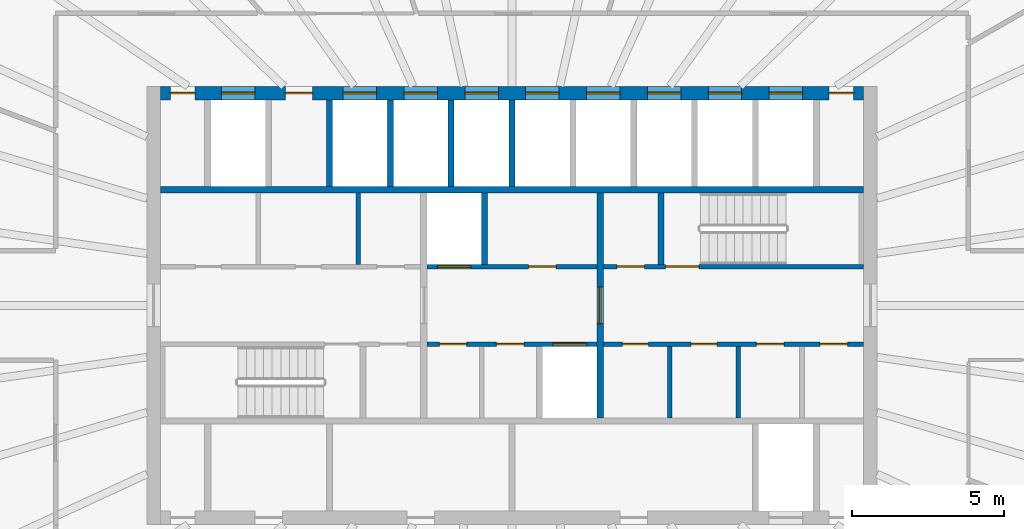
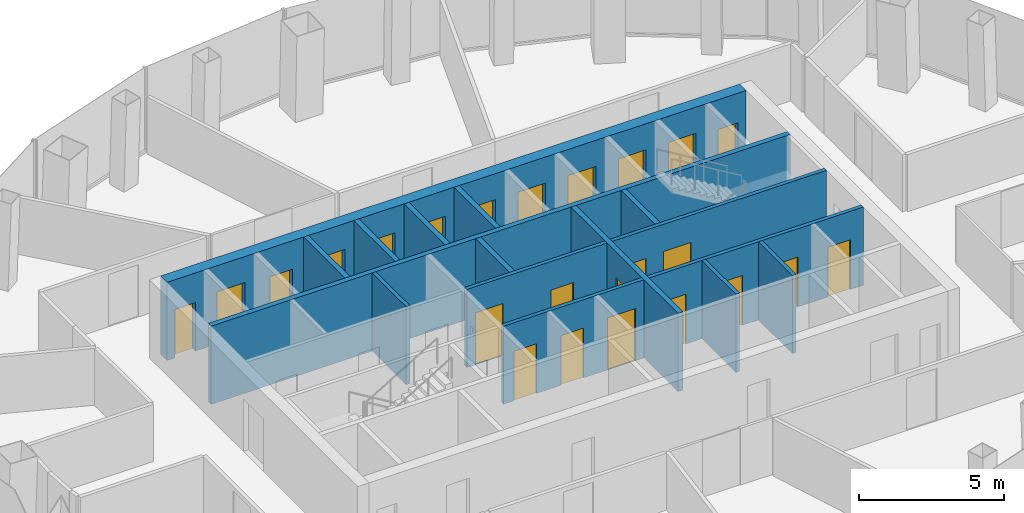
# One storey, part 9 of 11: 24 doors, 16 walls, 24 openings.
"""IFC4 building model written with IfcOpenShell, lengths in metres."""

from ifc_helpers import new_model, si_unit, direction, frame, frame_2d, origin, place, context, subcontext, project, spatial, rectangle, extrude, material, layer, layer_set, type_object, element, fill, save


model = new_model("IFC4")

# Units and contexts
model_context = context("Model", 3, precision=1e-05, world=origin(), true_north=direction((0.0, 1.0)))
body_context = subcontext(model_context, "Body", "Model", "MODEL_VIEW")
ifc_project = project(units=[si_unit("LENGTHUNIT", "METRE"), si_unit("AREAUNIT", "SQUARE_METRE"), si_unit("VOLUMEUNIT", "CUBIC_METRE"), si_unit("PLANEANGLEUNIT", "RADIAN"), si_unit("MASSUNIT", "GRAM", prefix="KILO")], contexts=[model_context])

# Site, building, storey
site_placement = place(None, origin())
site = spatial("IfcSite", under=ifc_project, at=site_placement, CompositionType="ELEMENT")
building_placement = place(site_placement, origin())
building = spatial("IfcBuilding", under=site, at=building_placement, Name="Siaravel Broadcast Tower", CompositionType="ELEMENT")
storey_placement = place(building_placement, frame((0.0, 0.0, 197.800048828125)))
storey = spatial("IfcBuildingStorey", under=building, at=storey_placement, Name="L48", CompositionType="ELEMENT", Elevation=197.800048828125)

# Walls
ifc_material_1 = material(Name="Concrete blockwork", Category="masonry")
ifc_layer_1 = layer(ifc_material_1, 0.14990234375)
ifc_layer_set_1 = layer_set([ifc_layer_1], Name="Concrete blockwork")
wall_type_1 = type_object("IfcWallType", Name="Core partition 150", PredefinedType="PARTITIONING", material=ifc_layer_set_1)
for number, where, z_axis, x_axis, name in (
    (1, (-5.054931640625, 1.35009765625, 0.0), (0.0, 0.0, 1.0), (0.0, 1.0, 0.0), "L48 core partition PNW1"),
    (2, (5.180908203125, -3.699951171875, 0.0), (0.0, 0.0, 1.0), (0.0, 1.0, 0.0), "L48 core partition PSE0"),
    (3, (7.43701171875, -3.699951171875, 0.0), (0.0, 0.0, 1.0), (0.0, 1.0, 0.0), "L48 core partition PSE1"),
):
    element("IfcWall", number, at=place(storey_placement, frame(where, z_axis=z_axis, x_axis=x_axis)), inside=storey, type_object=wall_type_1, Name=name, PredefinedType="PARTITIONING", context=body_context, shape_type="SweptSolid", body=[
        extrude(rectangle(XDim=2.349853515625, YDim=0.14990234375, at=frame_2d((1.1748046875, 0.0))), origin(), (0.0, 0.0, 1.0), 3.300048828125),
    ])

# Wall, openings, doors
ifc_material_2 = material(Name="Concrete C60/75", Category="concrete")
ifc_layer_2 = layer(ifc_material_2, 0.449951171875)
ifc_layer_set_2 = layer_set([ifc_layer_2], Name="Concrete C60/75")
wall_type_2 = type_object("IfcWallType", Name="Core wall 450", PredefinedType="SHEAR", material=ifc_layer_set_2)
wall_1_placement = place(storey_placement, frame((-11.550048828125, 6.97509765625, 0.0), z_axis=(0.0, 0.0, 1.0), x_axis=(1.0, 0.0, 0.0)))
wall_1 = element("IfcWall", 4, at=wall_1_placement, inside=storey, type_object=wall_type_2, Name="L48 core wall ON", PredefinedType="SHEAR", context=body_context, shape_type="SweptSolid", body=[
    extrude(rectangle(XDim=23.10009765625, YDim=0.449951171875, at=frame_2d((11.550048828125, 0.0))), origin(), (0.0, 0.0, 1.0), 3.300048828125),
])
opening_1_placement = place(wall_1_placement, frame((2.0, 0.0, 0.0)))
opening_1 = element("IfcOpeningElement", 5, at=opening_1_placement, cuts=wall_1, Name="Opening LD-SV2-L48", PredefinedType="OPENING", context=body_context, shape_type="SweptSolid", body=[
    extrude(rectangle(XDim=1.10009765625, YDim=2.199951171875, at=frame_2d((0.550048828125, 1.10009765625))), frame((0.0, 0.23486328125, 0.0), z_axis=(0.0, -1.0, 0.0), x_axis=(1.0, 0.0, 0.0)), (0.0, 0.0, 1.0), 0.469970703125),
])
opening_2_placement = place(wall_1_placement, frame((6.0, 0.0, 0.0)))
opening_2 = element("IfcOpeningElement", 6, at=opening_2_placement, cuts=wall_1, Name="Opening LD-HP1-L48", PredefinedType="OPENING", context=body_context, shape_type="SweptSolid", body=[
    extrude(rectangle(XDim=1.10009765625, YDim=2.199951171875, at=frame_2d((0.550048828125, 1.10009765625))), frame((0.0, 0.23486328125, 0.0), z_axis=(0.0, -1.0, 0.0), x_axis=(1.0, 0.0, 0.0)), (0.0, 0.0, 1.0), 0.469970703125),
])
opening_3_placement = place(wall_1_placement, frame((8.0, 0.0, 0.0)))
opening_3 = element("IfcOpeningElement", 7, at=opening_3_placement, cuts=wall_1, Name="Opening LD-HP2-L48", PredefinedType="OPENING", context=body_context, shape_type="SweptSolid", body=[
    extrude(rectangle(XDim=1.10009765625, YDim=2.199951171875, at=frame_2d((0.550048828125, 1.10009765625))), frame((0.0, 0.23486328125, 0.0), z_axis=(0.0, -1.0, 0.0), x_axis=(1.0, 0.0, 0.0)), (0.0, 0.0, 1.0), 0.469970703125),
])
opening_4_placement = place(wall_1_placement, frame((10.0, 0.0, 0.0)))
opening_4 = element("IfcOpeningElement", 8, at=opening_4_placement, cuts=wall_1, Name="Opening LD-HP3-L48", PredefinedType="OPENING", context=body_context, shape_type="SweptSolid", body=[
    extrude(rectangle(XDim=1.10009765625, YDim=2.199951171875, at=frame_2d((0.550048828125, 1.10009765625))), frame((0.0, 0.23486328125, 0.0), z_axis=(0.0, -1.0, 0.0), x_axis=(1.0, 0.0, 0.0)), (0.0, 0.0, 1.0), 0.469970703125),
])
opening_5_placement = place(wall_1_placement, frame((12.0, 0.0, 0.0)))
opening_5 = element("IfcOpeningElement", 9, at=opening_5_placement, cuts=wall_1, Name="Opening LD-HP4-L48", PredefinedType="OPENING", context=body_context, shape_type="SweptSolid", body=[
    extrude(rectangle(XDim=1.10009765625, YDim=2.199951171875, at=frame_2d((0.550048828125, 1.10009765625))), frame((0.0, 0.23486328125, 0.0), z_axis=(0.0, -1.0, 0.0), x_axis=(1.0, 0.0, 0.0)), (0.0, 0.0, 1.0), 0.469970703125),
])
opening_6_placement = place(wall_1_placement, frame((14.0, 0.0, 0.0)))
opening_6 = element("IfcOpeningElement", 10, at=opening_6_placement, cuts=wall_1, Name="Opening LD-HP5-L48", PredefinedType="OPENING", context=body_context, shape_type="SweptSolid", body=[
    extrude(rectangle(XDim=1.10009765625, YDim=2.199951171875, at=frame_2d((0.550048828125, 1.10009765625))), frame((0.0, 0.23486328125, 0.0), z_axis=(0.0, -1.0, 0.0), x_axis=(1.0, 0.0, 0.0)), (0.0, 0.0, 1.0), 0.469970703125),
])
opening_7_placement = place(wall_1_placement, frame((16.0, 0.0, 0.0)))
opening_7 = element("IfcOpeningElement", 11, at=opening_7_placement, cuts=wall_1, Name="Opening LD-HP6-L48", PredefinedType="OPENING", context=body_context, shape_type="SweptSolid", body=[
    extrude(rectangle(XDim=1.10009765625, YDim=2.199951171875, at=frame_2d((0.550048828125, 1.10009765625))), frame((0.0, 0.23486328125, 0.0), z_axis=(0.0, -1.0, 0.0), x_axis=(1.0, 0.0, 0.0)), (0.0, 0.0, 1.0), 0.469970703125),
])
opening_8_placement = place(wall_1_placement, frame((18.0, 0.0, 0.0)))
opening_8 = element("IfcOpeningElement", 12, at=opening_8_placement, cuts=wall_1, Name="Opening LD-HP7-L48", PredefinedType="OPENING", context=body_context, shape_type="SweptSolid", body=[
    extrude(rectangle(XDim=1.10009765625, YDim=2.199951171875, at=frame_2d((0.550048828125, 1.10009765625))), frame((0.0, 0.23486328125, 0.0), z_axis=(0.0, -1.0, 0.0), x_axis=(1.0, 0.0, 0.0)), (0.0, 0.0, 1.0), 0.469970703125),
])
opening_9_placement = place(wall_1_placement, frame((20.0, 0.0, 0.0)))
opening_9 = element("IfcOpeningElement", 13, at=opening_9_placement, cuts=wall_1, Name="Opening LD-HP8-L48", PredefinedType="OPENING", context=body_context, shape_type="SweptSolid", body=[
    extrude(rectangle(XDim=1.10009765625, YDim=2.199951171875, at=frame_2d((0.550048828125, 1.10009765625))), frame((0.0, 0.23486328125, 0.0), z_axis=(0.0, -1.0, 0.0), x_axis=(1.0, 0.0, 0.0)), (0.0, 0.0, 1.0), 0.469970703125),
])
opening_10_placement = place(wall_1_placement, frame((4.10009765625, 0.0, 0.0)))
opening_10 = element("IfcOpeningElement", 14, at=opening_10_placement, cuts=wall_1, Name="Opening L48-DFN1", PredefinedType="OPENING", context=body_context, shape_type="SweptSolid", body=[
    extrude(rectangle(XDim=0.89990234375, YDim=2.10009765625, at=frame_2d((0.449951171875, 1.050048828125))), frame((0.0, 0.23486328125, 0.0), z_axis=(0.0, -1.0, 0.0), x_axis=(1.0, 0.0, 0.0)), (0.0, 0.0, 1.0), 0.469970703125),
])
opening_11_placement = place(wall_1_placement, frame((0.324951171875, 0.0, 0.0)))
opening_11 = element("IfcOpeningElement", 15, at=opening_11_placement, cuts=wall_1, Name="Opening L48-DRNW", PredefinedType="OPENING", context=body_context, shape_type="SweptSolid", body=[
    extrude(rectangle(XDim=0.800048828125, YDim=2.050048828125, at=frame_2d((0.39990234375, 1.02490234375))), frame((0.0, 0.23486328125, 0.0), z_axis=(0.0, -1.0, 0.0), x_axis=(1.0, 0.0, 0.0)), (0.0, 0.0, 1.0), 0.469970703125),
])
opening_12_placement = place(wall_1_placement, frame((21.97509765625, 0.0, 0.0)))
opening_12 = element("IfcOpeningElement", 16, at=opening_12_placement, cuts=wall_1, Name="Opening L48-DRNE", PredefinedType="OPENING", context=body_context, shape_type="SweptSolid", body=[
    extrude(rectangle(XDim=0.800048828125, YDim=2.050048828125, at=frame_2d((0.39990234375, 1.02490234375))), frame((0.0, 0.23486328125, 0.0), z_axis=(0.0, -1.0, 0.0), x_axis=(1.0, 0.0, 0.0)), (0.0, 0.0, 1.0), 0.469970703125),
])
ifc_material_3 = material(Name="Timber veneer", Category="wood")
door_type_1 = type_object("IfcDoorType", Name="Core room door 900", OperationType="SINGLE_SWING_LEFT", PredefinedType="DOOR", material=ifc_material_3)
door_1_placement = place(opening_10_placement, origin())
door_1 = element("IfcDoor", 17, at=door_1_placement, inside=storey, type_object=door_type_1, Name="L48 door DFN1", OperationType="SINGLE_SWING_LEFT", OverallHeight=2.10009765625, OverallWidth=0.89990234375, PredefinedType="DOOR", context=body_context, shape_type="SweptSolid", body=[
    extrude(rectangle(XDim=0.89990234375, YDim=2.10009765625, at=frame_2d((0.449951171875, 1.050048828125))), frame((0.0, 0.02490234375, 0.0), z_axis=(0.0, -1.0, 0.0), x_axis=(1.0, 0.0, 0.0)), (0.0, 0.0, 1.0), 0.050048828125),
])
fill(opening_10, door_1)
ifc_material_4 = material(Name="Stainless steel 316L", Category="steel")
door_type_2 = type_object("IfcDoorType", Name="Lift landing door 1100", OperationType="DOUBLE_DOOR_SLIDING", PredefinedType="DOOR", material=ifc_material_4)
door_2_placement = place(opening_2_placement, origin())
door_2 = element("IfcDoor", 18, at=door_2_placement, inside=storey, type_object=door_type_2, Name="Landing door HP1 L48", OperationType="DOUBLE_DOOR_SLIDING", OverallHeight=2.199951171875, OverallWidth=1.10009765625, PredefinedType="DOOR", context=body_context, shape_type="SweptSolid", body=[
    extrude(rectangle(XDim=1.10009765625, YDim=2.199951171875, at=frame_2d((0.550048828125, 1.10009765625))), frame((0.0, 0.02490234375, 0.0), z_axis=(0.0, -1.0, 0.0), x_axis=(1.0, 0.0, 0.0)), (0.0, 0.0, 1.0), 0.050048828125),
])
fill(opening_2, door_2)
door_3_placement = place(opening_3_placement, origin())
door_3 = element("IfcDoor", 19, at=door_3_placement, inside=storey, type_object=door_type_2, Name="Landing door HP2 L48", OperationType="DOUBLE_DOOR_SLIDING", OverallHeight=2.199951171875, OverallWidth=1.10009765625, PredefinedType="DOOR", context=body_context, shape_type="SweptSolid", body=[
    extrude(rectangle(XDim=1.10009765625, YDim=2.199951171875, at=frame_2d((0.550048828125, 1.10009765625))), frame((0.0, 0.02490234375, 0.0), z_axis=(0.0, -1.0, 0.0), x_axis=(1.0, 0.0, 0.0)), (0.0, 0.0, 1.0), 0.050048828125),
])
fill(opening_3, door_3)
door_4_placement = place(opening_4_placement, origin())
door_4 = element("IfcDoor", 20, at=door_4_placement, inside=storey, type_object=door_type_2, Name="Landing door HP3 L48", OperationType="DOUBLE_DOOR_SLIDING", OverallHeight=2.199951171875, OverallWidth=1.10009765625, PredefinedType="DOOR", context=body_context, shape_type="SweptSolid", body=[
    extrude(rectangle(XDim=1.10009765625, YDim=2.199951171875, at=frame_2d((0.550048828125, 1.10009765625))), frame((0.0, 0.02490234375, 0.0), z_axis=(0.0, -1.0, 0.0), x_axis=(1.0, 0.0, 0.0)), (0.0, 0.0, 1.0), 0.050048828125),
])
fill(opening_4, door_4)
door_5_placement = place(opening_5_placement, origin())
door_5 = element("IfcDoor", 21, at=door_5_placement, inside=storey, type_object=door_type_2, Name="Landing door HP4 L48", OperationType="DOUBLE_DOOR_SLIDING", OverallHeight=2.199951171875, OverallWidth=1.10009765625, PredefinedType="DOOR", context=body_context, shape_type="SweptSolid", body=[
    extrude(rectangle(XDim=1.10009765625, YDim=2.199951171875, at=frame_2d((0.550048828125, 1.10009765625))), frame((0.0, 0.02490234375, 0.0), z_axis=(0.0, -1.0, 0.0), x_axis=(1.0, 0.0, 0.0)), (0.0, 0.0, 1.0), 0.050048828125),
])
fill(opening_5, door_5)
door_6_placement = place(opening_6_placement, origin())
door_6 = element("IfcDoor", 22, at=door_6_placement, inside=storey, type_object=door_type_2, Name="Landing door HP5 L48", OperationType="DOUBLE_DOOR_SLIDING", OverallHeight=2.199951171875, OverallWidth=1.10009765625, PredefinedType="DOOR", context=body_context, shape_type="SweptSolid", body=[
    extrude(rectangle(XDim=1.10009765625, YDim=2.199951171875, at=frame_2d((0.550048828125, 1.10009765625))), frame((0.0, 0.02490234375, 0.0), z_axis=(0.0, -1.0, 0.0), x_axis=(1.0, 0.0, 0.0)), (0.0, 0.0, 1.0), 0.050048828125),
])
fill(opening_6, door_6)
door_7_placement = place(opening_7_placement, origin())
door_7 = element("IfcDoor", 23, at=door_7_placement, inside=storey, type_object=door_type_2, Name="Landing door HP6 L48", OperationType="DOUBLE_DOOR_SLIDING", OverallHeight=2.199951171875, OverallWidth=1.10009765625, PredefinedType="DOOR", context=body_context, shape_type="SweptSolid", body=[
    extrude(rectangle(XDim=1.10009765625, YDim=2.199951171875, at=frame_2d((0.550048828125, 1.10009765625))), frame((0.0, 0.02490234375, 0.0), z_axis=(0.0, -1.0, 0.0), x_axis=(1.0, 0.0, 0.0)), (0.0, 0.0, 1.0), 0.050048828125),
])
fill(opening_7, door_7)
door_8_placement = place(opening_8_placement, origin())
door_8 = element("IfcDoor", 24, at=door_8_placement, inside=storey, type_object=door_type_2, Name="Landing door HP7 L48", OperationType="DOUBLE_DOOR_SLIDING", OverallHeight=2.199951171875, OverallWidth=1.10009765625, PredefinedType="DOOR", context=body_context, shape_type="SweptSolid", body=[
    extrude(rectangle(XDim=1.10009765625, YDim=2.199951171875, at=frame_2d((0.550048828125, 1.10009765625))), frame((0.0, 0.02490234375, 0.0), z_axis=(0.0, -1.0, 0.0), x_axis=(1.0, 0.0, 0.0)), (0.0, 0.0, 1.0), 0.050048828125),
])
fill(opening_8, door_8)
door_9_placement = place(opening_9_placement, origin())
door_9 = element("IfcDoor", 25, at=door_9_placement, inside=storey, type_object=door_type_2, Name="Landing door HP8 L48", OperationType="DOUBLE_DOOR_SLIDING", OverallHeight=2.199951171875, OverallWidth=1.10009765625, PredefinedType="DOOR", context=body_context, shape_type="SweptSolid", body=[
    extrude(rectangle(XDim=1.10009765625, YDim=2.199951171875, at=frame_2d((0.550048828125, 1.10009765625))), frame((0.0, 0.02490234375, 0.0), z_axis=(0.0, -1.0, 0.0), x_axis=(1.0, 0.0, 0.0)), (0.0, 0.0, 1.0), 0.050048828125),
])
fill(opening_9, door_9)
ifc_material_5 = material(Name="Steel", Category="steel")
door_type_3 = type_object("IfcDoorType", Name="Riser door 800", OperationType="SINGLE_SWING_LEFT", PredefinedType="DOOR", material=ifc_material_5)
door_10_placement = place(opening_11_placement, origin())
door_10 = element("IfcDoor", 26, at=door_10_placement, inside=storey, type_object=door_type_3, Name="L48 door DRNW", OperationType="SINGLE_SWING_LEFT", OverallHeight=2.050048828125, OverallWidth=0.800048828125, PredefinedType="DOOR", context=body_context, shape_type="SweptSolid", body=[
    extrude(rectangle(XDim=0.800048828125, YDim=2.050048828125, at=frame_2d((0.39990234375, 1.02490234375))), frame((0.0, 0.02490234375, 0.0), z_axis=(0.0, -1.0, 0.0), x_axis=(1.0, 0.0, 0.0)), (0.0, 0.0, 1.0), 0.050048828125),
])
fill(opening_11, door_10)
door_11_placement = place(opening_12_placement, origin())
door_11 = element("IfcDoor", 27, at=door_11_placement, inside=storey, type_object=door_type_3, Name="L48 door DRNE", OperationType="SINGLE_SWING_LEFT", OverallHeight=2.050048828125, OverallWidth=0.800048828125, PredefinedType="DOOR", context=body_context, shape_type="SweptSolid", body=[
    extrude(rectangle(XDim=0.800048828125, YDim=2.050048828125, at=frame_2d((0.39990234375, 1.02490234375))), frame((0.0, 0.02490234375, 0.0), z_axis=(0.0, -1.0, 0.0), x_axis=(1.0, 0.0, 0.0)), (0.0, 0.0, 1.0), 0.050048828125),
])
fill(opening_12, door_11)
door_type_4 = type_object("IfcDoorType", Name="Service lift landing door 1100", OperationType="DOUBLE_DOOR_SLIDING", PredefinedType="DOOR", material=ifc_material_4)
door_12_placement = place(opening_1_placement, origin())
door_12 = element("IfcDoor", 28, at=door_12_placement, inside=storey, type_object=door_type_4, Name="Landing door SV2 L48", OperationType="DOUBLE_DOOR_SLIDING", OverallHeight=2.199951171875, OverallWidth=1.10009765625, PredefinedType="DOOR", context=body_context, shape_type="SweptSolid", body=[
    extrude(rectangle(XDim=1.10009765625, YDim=2.199951171875, at=frame_2d((0.550048828125, 1.10009765625))), frame((0.0, 0.02490234375, 0.0), z_axis=(0.0, -1.0, 0.0), x_axis=(1.0, 0.0, 0.0)), (0.0, 0.0, 1.0), 0.050048828125),
])
fill(opening_1, door_12)

ifc_material_6 = material(Name="Gypsum board partition", Category="gypsum")
ifc_layer_3 = layer(ifc_material_6, 0.14990234375)
ifc_layer_set_3 = layer_set([ifc_layer_3], Name="Gypsum board partition")
wall_type_3 = type_object("IfcWallType", Name="Corridor wall 150", PredefinedType="PARTITIONING", material=ifc_layer_set_3)
wall_2_placement = place(storey_placement, frame((3.0, -1.27490234375, 0.0), z_axis=(0.0, 0.0, 1.0), x_axis=(1.0, 0.0, 0.0)))
wall_2 = element("IfcWall", 29, at=wall_2_placement, inside=storey, type_object=wall_type_3, Name="L48 core partition CSE", PredefinedType="PARTITIONING", context=body_context, shape_type="SweptSolid", body=[
    extrude(rectangle(XDim=8.550048828125, YDim=0.14990234375, at=frame_2d((4.27490234375, 0.0))), origin(), (0.0, 0.0, 1.0), 3.300048828125),
])
opening_13_placement = place(wall_2_placement, frame((0.6279296875, 0.0, 0.0)))
opening_13 = element("IfcOpeningElement", 30, at=opening_13_placement, cuts=wall_2, Name="Opening L48-DSE0", PredefinedType="OPENING", context=body_context, shape_type="SweptSolid", body=[
    extrude(rectangle(XDim=0.85009765625, YDim=2.10009765625, at=frame_2d((0.425048828125, 1.050048828125))), frame((0.0, 0.0849609375, 0.0), z_axis=(0.0, -1.0, 0.0), x_axis=(1.0, 0.0, 0.0)), (0.0, 0.0, 1.0), 0.169921875),
])
opening_14_placement = place(wall_2_placement, frame((2.884033203125, 0.0, 0.0)))
opening_14 = element("IfcOpeningElement", 31, at=opening_14_placement, cuts=wall_2, Name="Opening L48-DSE1", PredefinedType="OPENING", context=body_context, shape_type="SweptSolid", body=[
    extrude(rectangle(XDim=0.85009765625, YDim=2.10009765625, at=frame_2d((0.425048828125, 1.050048828125))), frame((0.0, 0.0849609375, 0.0), z_axis=(0.0, -1.0, 0.0), x_axis=(1.0, 0.0, 0.0)), (0.0, 0.0, 1.0), 0.169921875),
])
opening_15_placement = place(wall_2_placement, frame((5.033935546875, 0.0, 0.0)))
opening_15 = element("IfcOpeningElement", 32, at=opening_15_placement, cuts=wall_2, Name="Opening L48-DSE2", PredefinedType="OPENING", context=body_context, shape_type="SweptSolid", body=[
    extrude(rectangle(XDim=0.89990234375, YDim=2.10009765625, at=frame_2d((0.449951171875, 1.050048828125))), frame((0.0, 0.0849609375, 0.0), z_axis=(0.0, -1.0, 0.0), x_axis=(1.0, 0.0, 0.0)), (0.0, 0.0, 1.0), 0.169921875),
])
opening_16_placement = place(wall_2_placement, frame((7.1279296875, 0.0, 0.0)))
opening_16 = element("IfcOpeningElement", 33, at=opening_16_placement, cuts=wall_2, Name="Opening L48-DSE3", PredefinedType="OPENING", context=body_context, shape_type="SweptSolid", body=[
    extrude(rectangle(XDim=0.89990234375, YDim=2.10009765625, at=frame_2d((0.449951171875, 1.050048828125))), frame((0.0, 0.0849609375, 0.0), z_axis=(0.0, -1.0, 0.0), x_axis=(1.0, 0.0, 0.0)), (0.0, 0.0, 1.0), 0.169921875),
])
door_13_placement = place(opening_15_placement, origin())
door_13 = element("IfcDoor", 34, at=door_13_placement, inside=storey, type_object=door_type_1, Name="L48 door DSE2", OperationType="SINGLE_SWING_LEFT", OverallHeight=2.10009765625, OverallWidth=0.89990234375, PredefinedType="DOOR", context=body_context, shape_type="SweptSolid", body=[
    extrude(rectangle(XDim=0.89990234375, YDim=2.10009765625, at=frame_2d((0.449951171875, 1.050048828125))), frame((0.0, 0.02490234375, 0.0), z_axis=(0.0, -1.0, 0.0), x_axis=(1.0, 0.0, 0.0)), (0.0, 0.0, 1.0), 0.050048828125),
])
fill(opening_15, door_13)
door_14_placement = place(opening_16_placement, origin())
door_14 = element("IfcDoor", 35, at=door_14_placement, inside=storey, type_object=door_type_1, Name="L48 door DSE3", OperationType="SINGLE_SWING_LEFT", OverallHeight=2.10009765625, OverallWidth=0.89990234375, PredefinedType="DOOR", context=body_context, shape_type="SweptSolid", body=[
    extrude(rectangle(XDim=0.89990234375, YDim=2.10009765625, at=frame_2d((0.449951171875, 1.050048828125))), frame((0.0, 0.02490234375, 0.0), z_axis=(0.0, -1.0, 0.0), x_axis=(1.0, 0.0, 0.0)), (0.0, 0.0, 1.0), 0.050048828125),
])
fill(opening_16, door_14)
door_type_5 = type_object("IfcDoorType", Name="Core toilet door 850", OperationType="SINGLE_SWING_LEFT", PredefinedType="DOOR", material=ifc_material_3)
door_15_placement = place(opening_13_placement, origin())
door_15 = element("IfcDoor", 36, at=door_15_placement, inside=storey, type_object=door_type_5, Name="L48 door DSE0", OperationType="SINGLE_SWING_LEFT", OverallHeight=2.10009765625, OverallWidth=0.85009765625, PredefinedType="DOOR", context=body_context, shape_type="SweptSolid", body=[
    extrude(rectangle(XDim=0.85009765625, YDim=2.10009765625, at=frame_2d((0.425048828125, 1.050048828125))), frame((0.0, 0.02490234375, 0.0), z_axis=(0.0, -1.0, 0.0), x_axis=(1.0, 0.0, 0.0)), (0.0, 0.0, 1.0), 0.050048828125),
])
fill(opening_13, door_15)
door_16_placement = place(opening_14_placement, origin())
door_16 = element("IfcDoor", 37, at=door_16_placement, inside=storey, type_object=door_type_5, Name="L48 door DSE1", OperationType="SINGLE_SWING_LEFT", OverallHeight=2.10009765625, OverallWidth=0.85009765625, PredefinedType="DOOR", context=body_context, shape_type="SweptSolid", body=[
    extrude(rectangle(XDim=0.85009765625, YDim=2.10009765625, at=frame_2d((0.425048828125, 1.050048828125))), frame((0.0, 0.02490234375, 0.0), z_axis=(0.0, -1.0, 0.0), x_axis=(1.0, 0.0, 0.0)), (0.0, 0.0, 1.0), 0.050048828125),
])
fill(opening_14, door_16)

ifc_layer_4 = layer(ifc_material_2, 0.14990234375)
ifc_layer_set_4 = layer_set([ifc_layer_4], Name="Concrete C60/75")
wall_type_4 = type_object("IfcWallType", Name="Shaft wall 150", PredefinedType="SHEAR", material=ifc_layer_set_4)
wall_3_placement = place(storey_placement, frame((-2.800048828125, -1.27490234375, 0.0), z_axis=(0.0, 0.0, 1.0), x_axis=(1.0, 0.0, 0.0)))
wall_3 = element("IfcWall", 38, at=wall_3_placement, inside=storey, type_object=wall_type_4, Name="L48 core wall CSM", PredefinedType="SHEAR", context=body_context, shape_type="SweptSolid", body=[
    extrude(rectangle(XDim=5.60009765625, YDim=0.14990234375, at=frame_2d((2.800048828125, 0.0))), origin(), (0.0, 0.0, 1.0), 3.300048828125),
])
opening_17_placement = place(wall_3_placement, frame((4.14990234375, 0.0, 0.0)))
opening_17 = element("IfcOpeningElement", 39, at=opening_17_placement, cuts=wall_3, Name="Opening LD-FL2-L48", PredefinedType="OPENING", context=body_context, shape_type="SweptSolid", body=[
    extrude(rectangle(XDim=1.10009765625, YDim=2.199951171875, at=frame_2d((0.550048828125, 1.10009765625))), frame((0.0, 0.0849609375, 0.0), z_axis=(0.0, -1.0, 0.0), x_axis=(1.0, 0.0, 0.0)), (0.0, 0.0, 1.0), 0.169921875),
])
opening_18_placement = place(wall_3_placement, frame((0.41259765625, 0.0, 0.0)))
opening_18 = element("IfcOpeningElement", 40, at=opening_18_placement, cuts=wall_3, Name="Opening L48-DSM0", PredefinedType="OPENING", context=body_context, shape_type="SweptSolid", body=[
    extrude(rectangle(XDim=0.89990234375, YDim=2.10009765625, at=frame_2d((0.449951171875, 1.050048828125))), frame((0.0, 0.0849609375, 0.0), z_axis=(0.0, -1.0, 0.0), x_axis=(1.0, 0.0, 0.0)), (0.0, 0.0, 1.0), 0.169921875),
])
opening_19_placement = place(wall_3_placement, frame((2.28759765625, 0.0, 0.0)))
opening_19 = element("IfcOpeningElement", 41, at=opening_19_placement, cuts=wall_3, Name="Opening L48-DSM1", PredefinedType="OPENING", context=body_context, shape_type="SweptSolid", body=[
    extrude(rectangle(XDim=0.89990234375, YDim=2.10009765625, at=frame_2d((0.449951171875, 1.050048828125))), frame((0.0, 0.0849609375, 0.0), z_axis=(0.0, -1.0, 0.0), x_axis=(1.0, 0.0, 0.0)), (0.0, 0.0, 1.0), 0.169921875),
])
door_17_placement = place(opening_18_placement, origin())
door_17 = element("IfcDoor", 42, at=door_17_placement, inside=storey, type_object=door_type_1, Name="L48 door DSM0", OperationType="SINGLE_SWING_LEFT", OverallHeight=2.10009765625, OverallWidth=0.89990234375, PredefinedType="DOOR", context=body_context, shape_type="SweptSolid", body=[
    extrude(rectangle(XDim=0.89990234375, YDim=2.10009765625, at=frame_2d((0.449951171875, 1.050048828125))), frame((0.0, 0.02490234375, 0.0), z_axis=(0.0, -1.0, 0.0), x_axis=(1.0, 0.0, 0.0)), (0.0, 0.0, 1.0), 0.050048828125),
])
fill(opening_18, door_17)
door_18_placement = place(opening_19_placement, origin())
door_18 = element("IfcDoor", 43, at=door_18_placement, inside=storey, type_object=door_type_1, Name="L48 door DSM1", OperationType="SINGLE_SWING_LEFT", OverallHeight=2.10009765625, OverallWidth=0.89990234375, PredefinedType="DOOR", context=body_context, shape_type="SweptSolid", body=[
    extrude(rectangle(XDim=0.89990234375, YDim=2.10009765625, at=frame_2d((0.449951171875, 1.050048828125))), frame((0.0, 0.02490234375, 0.0), z_axis=(0.0, -1.0, 0.0), x_axis=(1.0, 0.0, 0.0)), (0.0, 0.0, 1.0), 0.050048828125),
])
fill(opening_19, door_18)
door_type_6 = type_object("IfcDoorType", Name="Firefighting lift landing door 1100", OperationType="DOUBLE_DOOR_SLIDING", PredefinedType="DOOR", material=ifc_material_4)
door_19_placement = place(opening_17_placement, origin())
door_19 = element("IfcDoor", 44, at=door_19_placement, inside=storey, type_object=door_type_6, Name="Landing door FL2 L48", OperationType="DOUBLE_DOOR_SLIDING", OverallHeight=2.199951171875, OverallWidth=1.10009765625, PredefinedType="DOOR", context=body_context, shape_type="SweptSolid", body=[
    extrude(rectangle(XDim=1.10009765625, YDim=2.199951171875, at=frame_2d((0.550048828125, 1.10009765625))), frame((0.0, 0.02490234375, 0.0), z_axis=(0.0, -1.0, 0.0), x_axis=(1.0, 0.0, 0.0)), (0.0, 0.0, 1.0), 0.050048828125),
])
fill(opening_17, door_19)

wall_4_placement = place(storey_placement, frame((-2.800048828125, 1.27490234375, 0.0), z_axis=(0.0, 0.0, 1.0), x_axis=(1.0, 0.0, 0.0)))
wall_4 = element("IfcWall", 45, at=wall_4_placement, inside=storey, type_object=wall_type_4, Name="L48 core wall CNM", PredefinedType="SHEAR", context=body_context, shape_type="SweptSolid", body=[
    extrude(rectangle(XDim=5.60009765625, YDim=0.14990234375, at=frame_2d((2.800048828125, 0.0))), origin(), (0.0, 0.0, 1.0), 3.300048828125),
])
opening_20_placement = place(wall_4_placement, frame((0.35009765625, 0.0, 0.0)))
opening_20 = element("IfcOpeningElement", 46, at=opening_20_placement, cuts=wall_4, Name="Opening LD-FL1-L48", PredefinedType="OPENING", context=body_context, shape_type="SweptSolid", body=[
    extrude(rectangle(XDim=1.10009765625, YDim=2.199951171875, at=frame_2d((0.550048828125, 1.10009765625))), frame((0.0, 0.0849609375, 0.0), z_axis=(0.0, -1.0, 0.0), x_axis=(1.0, 0.0, 0.0)), (0.0, 0.0, 1.0), 0.169921875),
])
opening_21_placement = place(wall_4_placement, frame((3.35009765625, 0.0, 0.0)))
opening_21 = element("IfcOpeningElement", 47, at=opening_21_placement, cuts=wall_4, Name="Opening L48-DNM0", PredefinedType="OPENING", context=body_context, shape_type="SweptSolid", body=[
    extrude(rectangle(XDim=0.89990234375, YDim=2.10009765625, at=frame_2d((0.449951171875, 1.050048828125))), frame((0.0, 0.0849609375, 0.0), z_axis=(0.0, -1.0, 0.0), x_axis=(1.0, 0.0, 0.0)), (0.0, 0.0, 1.0), 0.169921875),
])
door_20_placement = place(opening_21_placement, origin())
door_20 = element("IfcDoor", 48, at=door_20_placement, inside=storey, type_object=door_type_1, Name="L48 door DNM0", OperationType="SINGLE_SWING_LEFT", OverallHeight=2.10009765625, OverallWidth=0.89990234375, PredefinedType="DOOR", context=body_context, shape_type="SweptSolid", body=[
    extrude(rectangle(XDim=0.89990234375, YDim=2.10009765625, at=frame_2d((0.449951171875, 1.050048828125))), frame((0.0, 0.02490234375, 0.0), z_axis=(0.0, -1.0, 0.0), x_axis=(1.0, 0.0, 0.0)), (0.0, 0.0, 1.0), 0.050048828125),
])
fill(opening_21, door_20)
door_21_placement = place(opening_20_placement, origin())
door_21 = element("IfcDoor", 49, at=door_21_placement, inside=storey, type_object=door_type_6, Name="Landing door FL1 L48", OperationType="DOUBLE_DOOR_SLIDING", OverallHeight=2.199951171875, OverallWidth=1.10009765625, PredefinedType="DOOR", context=body_context, shape_type="SweptSolid", body=[
    extrude(rectangle(XDim=1.10009765625, YDim=2.199951171875, at=frame_2d((0.550048828125, 1.10009765625))), frame((0.0, 0.02490234375, 0.0), z_axis=(0.0, -1.0, 0.0), x_axis=(1.0, 0.0, 0.0)), (0.0, 0.0, 1.0), 0.050048828125),
])
fill(opening_20, door_21)

wall_5_placement = place(storey_placement, frame((3.0, 1.27490234375, 0.0), z_axis=(0.0, 0.0, 1.0), x_axis=(1.0, 0.0, 0.0)))
wall_5 = element("IfcWall", 50, at=wall_5_placement, inside=storey, type_object=wall_type_4, Name="L48 core wall CNE", PredefinedType="SHEAR", context=body_context, shape_type="SweptSolid", body=[
    extrude(rectangle(XDim=8.550048828125, YDim=0.14990234375, at=frame_2d((4.27490234375, 0.0))), origin(), (0.0, 0.0, 1.0), 3.300048828125),
])
opening_22_placement = place(wall_5_placement, frame((2.050048828125, 0.0, 0.0)))
opening_22 = element("IfcOpeningElement", 51, at=opening_22_placement, cuts=wall_5, Name="Opening L48-DS-2", PredefinedType="OPENING", context=body_context, shape_type="SweptSolid", body=[
    extrude(rectangle(XDim=1.10009765625, YDim=2.14990234375, at=frame_2d((0.550048828125, 1.074951171875))), frame((0.0, 0.0849609375, 0.0), z_axis=(0.0, -1.0, 0.0), x_axis=(1.0, 0.0, 0.0)), (0.0, 0.0, 1.0), 0.169921875),
])
opening_23_placement = place(wall_5_placement, frame((0.449951171875, 0.0, 0.0)))
opening_23 = element("IfcOpeningElement", 52, at=opening_23_placement, cuts=wall_5, Name="Opening L48-DNE0", PredefinedType="OPENING", context=body_context, shape_type="SweptSolid", body=[
    extrude(rectangle(XDim=0.89990234375, YDim=2.10009765625, at=frame_2d((0.449951171875, 1.050048828125))), frame((0.0, 0.0849609375, 0.0), z_axis=(0.0, -1.0, 0.0), x_axis=(1.0, 0.0, 0.0)), (0.0, 0.0, 1.0), 0.169921875),
])
door_22_placement = place(opening_23_placement, origin())
door_22 = element("IfcDoor", 53, at=door_22_placement, inside=storey, type_object=door_type_1, Name="L48 door DNE0", OperationType="SINGLE_SWING_LEFT", OverallHeight=2.10009765625, OverallWidth=0.89990234375, PredefinedType="DOOR", context=body_context, shape_type="SweptSolid", body=[
    extrude(rectangle(XDim=0.89990234375, YDim=2.10009765625, at=frame_2d((0.449951171875, 1.050048828125))), frame((0.0, 0.02490234375, 0.0), z_axis=(0.0, -1.0, 0.0), x_axis=(1.0, 0.0, 0.0)), (0.0, 0.0, 1.0), 0.050048828125),
])
fill(opening_23, door_22)
door_type_7 = type_object("IfcDoorType", Name="Stair door 1100", OperationType="SINGLE_SWING_LEFT", PredefinedType="DOOR", material=ifc_material_5)
door_23_placement = place(opening_22_placement, origin())
door_23 = element("IfcDoor", 54, at=door_23_placement, inside=storey, type_object=door_type_7, Name="L48 door DS-2", OperationType="SINGLE_SWING_LEFT", OverallHeight=2.14990234375, OverallWidth=1.10009765625, PredefinedType="DOOR", context=body_context, shape_type="SweptSolid", body=[
    extrude(rectangle(XDim=1.10009765625, YDim=2.14990234375, at=frame_2d((0.550048828125, 1.074951171875))), frame((0.0, 0.02490234375, 0.0), z_axis=(0.0, -1.0, 0.0), x_axis=(1.0, 0.0, 0.0)), (0.0, 0.0, 1.0), 0.050048828125),
])
fill(opening_22, door_23)

# Walls
ifc_layer_5 = layer(ifc_material_2, 0.199951171875)
ifc_layer_set_5 = layer_set([ifc_layer_5], Name="Concrete C60/75")
wall_type_5 = type_object("IfcWallType", Name="Shaft wall 200", PredefinedType="SHEAR", material=ifc_layer_set_5)
wall_6_placement = place(storey_placement, frame((-11.550048828125, 3.800048828125, 0.0), z_axis=(0.0, 0.0, 1.0), x_axis=(1.0, 0.0, 0.0)))
element("IfcWall", 55, at=wall_6_placement, inside=storey, type_object=wall_type_5, Name="L48 core wall BN", PredefinedType="SHEAR", context=body_context, shape_type="SweptSolid", body=[
    extrude(rectangle(XDim=23.10009765625, YDim=0.199951171875, at=frame_2d((11.550048828125, 0.0))), origin(), (0.0, 0.0, 1.0), 3.300048828125),
])
for number, where, z_axis, x_axis, name in (
    (56, (-6.0, 3.89990234375, 0.0), (0.0, 0.0, 1.0), (0.0, 1.0, 0.0), "L48 core wall SWN2"),
    (57, (-4.0, 3.89990234375, 0.0), (0.0, 0.0, 1.0), (0.0, 1.0, 0.0), "L48 core wall SWN3"),
    (58, (-2.0, 3.89990234375, 0.0), (0.0, 0.0, 1.0), (0.0, 1.0, 0.0), "L48 core wall SWN4"),
    (59, (0.0, 3.89990234375, 0.0), (0.0, 0.0, 1.0), (0.0, 1.0, 0.0), "L48 core wall SWN5"),
):
    element("IfcWall", number, at=place(storey_placement, frame(where, z_axis=z_axis, x_axis=x_axis)), inside=storey, type_object=wall_type_5, Name=name, PredefinedType="SHEAR", context=body_context, shape_type="SweptSolid", body=[
        extrude(rectangle(XDim=2.85009765625, YDim=0.199951171875, at=frame_2d((1.425048828125, 0.0))), origin(), (0.0, 0.0, 1.0), 3.300048828125),
    ])

# Wall, opening, door
wall_7_placement = place(storey_placement, frame((2.89990234375, -3.699951171875, 0.0), z_axis=(0.0, 0.0, 1.0), x_axis=(0.0, 1.0, 0.0)))
wall_7 = element("IfcWall", 60, at=wall_7_placement, inside=storey, type_object=wall_type_5, Name="L48 core wall LE", PredefinedType="SHEAR", context=body_context, shape_type="SweptSolid", body=[
    extrude(rectangle(XDim=7.39990234375, YDim=0.199951171875, at=frame_2d((3.699951171875, 0.0))), origin(), (0.0, 0.0, 1.0), 3.300048828125),
])
opening_24_placement = place(wall_7_placement, frame((3.10009765625, 0.0, 0.0)))
opening_24 = element("IfcOpeningElement", 61, at=opening_24_placement, cuts=wall_7, Name="Opening L48-DL-E", PredefinedType="OPENING", context=body_context, shape_type="SweptSolid", body=[
    extrude(rectangle(XDim=1.199951171875, YDim=2.199951171875, at=frame_2d((0.60009765625, 1.10009765625))), frame((0.0, 0.10986328125, 0.0), z_axis=(0.0, -1.0, 0.0), x_axis=(1.0, 0.0, 0.0)), (0.0, 0.0, 1.0), 0.219970703125),
])
door_type_8 = type_object("IfcDoorType", Name="Firefighting lobby door 1200", OperationType="SINGLE_SWING_LEFT", PredefinedType="DOOR", material=ifc_material_5)
door_24_placement = place(opening_24_placement, origin())
door_24 = element("IfcDoor", 62, at=door_24_placement, inside=storey, type_object=door_type_8, Name="L48 door DL-E", OperationType="SINGLE_SWING_LEFT", OverallHeight=2.199951171875, OverallWidth=1.199951171875, PredefinedType="DOOR", context=body_context, shape_type="SweptSolid", body=[
    extrude(rectangle(XDim=1.199951171875, YDim=2.199951171875, at=frame_2d((0.60009765625, 1.10009765625))), frame((0.0, 0.02490234375, 0.0), z_axis=(0.0, -1.0, 0.0), x_axis=(1.0, 0.0, 0.0)), (0.0, 0.0, 1.0), 0.050048828125),
])
fill(opening_24, door_24)

# Walls
for number, where, z_axis, x_axis, name in (
    (63, (-0.89990234375, 1.35009765625, 0.0), (0.0, 0.0, 1.0), (0.0, 1.0, 0.0), "L48 core wall FF1E"),
    (64, (4.89990234375, 1.35009765625, 0.0), (0.0, 0.0, 1.0), (0.0, 1.0, 0.0), "L48 core wall ST2W"),
):
    element("IfcWall", number, at=place(storey_placement, frame(where, z_axis=z_axis, x_axis=x_axis)), inside=storey, type_object=wall_type_5, Name=name, PredefinedType="SHEAR", context=body_context, shape_type="SweptSolid", body=[
        extrude(rectangle(XDim=2.349853515625, YDim=0.199951171875, at=frame_2d((1.1748046875, 0.0))), origin(), (0.0, 0.0, 1.0), 3.300048828125),
    ])

save(model, "model.ifc")
